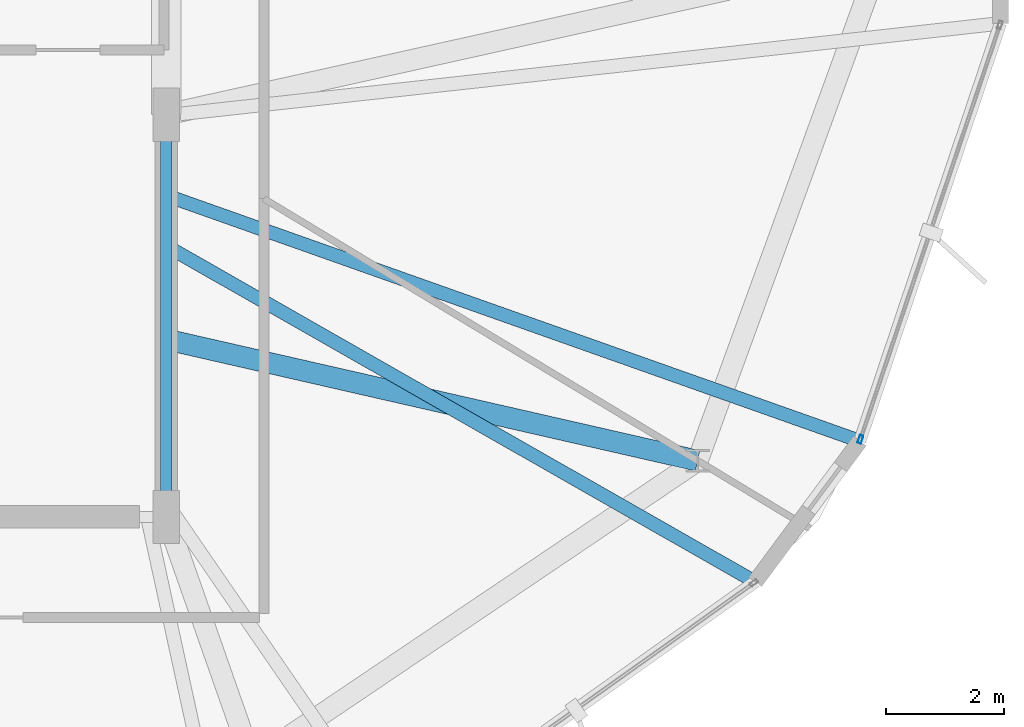
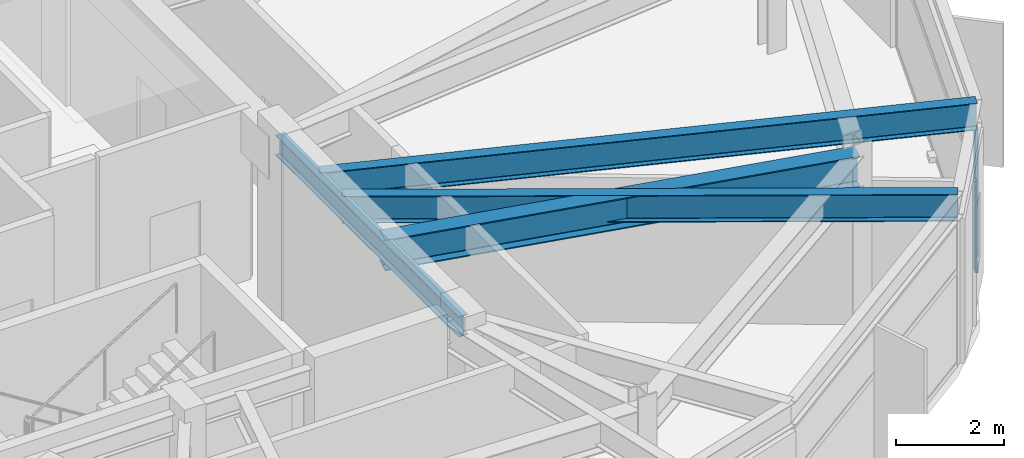
# One storey, part 6 of 19: 4 beams, 1 member, 1 element without a shape of its own.
"""IFC4 building model written with IfcOpenShell, lengths in metres."""

import ifcopenshell
import ifcopenshell.guid

model = None  # the IFC model being written
_history = None  # IfcOwnerHistory: only IFC2X3 demands one
_inside = {}  # id of a spatial element -> (the spatial element, [elements in it])
_under = {}  # id of a project, library or spatial element -> (it, [spatial elements below it])
_declared = {}  # id of a project -> (the project, [libraries it declares])
_typed = {}  # id of a type object -> (the type object, [elements of that type])
_made_of = {}  # id of a material, layer set ... -> (it, [elements and type objects made of it])


def new_model(schema):
    """Start an empty IFC model of exactly this schema.

    Asked for "IFC4X3", IfcOpenShell would pick the latest addendum, in which some entities
    have other attributes; the version numbers below select the first issue.
    IFC2X3 requires an IfcOwnerHistory on every rooted entity: one is made here for all.
    """
    global model, _history
    if schema == "IFC4X3":
        model = ifcopenshell.file(schema_version=(4, 3, 0, 0))
    else:
        model = ifcopenshell.file(schema=schema)
    _inside.clear()
    _under.clear()
    _declared.clear()
    _typed.clear()
    _made_of.clear()
    _history = None
    if model.schema == "IFC2X3":
        org = make("IfcOrganization", Name="unknown")
        user = make(
            "IfcPersonAndOrganization",
            ThePerson=make("IfcPerson", FamilyName="unknown"),
            TheOrganization=org,
        )
        app = make(
            "IfcApplication",
            ApplicationDeveloper=org,
            Version="unknown",
            ApplicationFullName="unknown",
            ApplicationIdentifier="unknown",
        )
        _history = make(
            "IfcOwnerHistory",
            OwningUser=user,
            OwningApplication=app,
            ChangeAction="ADDED",
            CreationDate=0,
        )
    return model


def make(cls, **values):
    """One entity of the class cls with the attributes given. An attribute that is None is left unset."""
    return model.create_entity(
        cls, **{name: value for name, value in values.items() if value is not None}
    )


def rooted(cls, **values):
    """An entity with a GlobalId (a new one), such as an element, a storey or a relation."""
    return make(cls, GlobalId=ifcopenshell.guid.new(), OwnerHistory=_history, **values)


def si_unit(unit_type, name, prefix=None):
    """IfcSIUnit, for example si_unit("LENGTHUNIT", "METRE", prefix="MILLI")."""
    return make("IfcSIUnit", UnitType=unit_type, Prefix=prefix, Name=name)


def assignment(units):
    """IfcUnitAssignment: the units of a project."""
    return None if units is None else make("IfcUnitAssignment", Units=units)


def point(xyz):
    """IfcCartesianPoint."""
    return None if xyz is None else make("IfcCartesianPoint", Coordinates=xyz)


def direction(xyz):
    """IfcDirection."""
    return None if xyz is None else make("IfcDirection", DirectionRatios=xyz)


def frame(location, z_axis=None, x_axis=None):
    """IfcAxis2Placement3D, a coordinate frame: its origin and axes. An axis left out is left unset."""
    return make(
        "IfcAxis2Placement3D",
        Location=point(location),
        Axis=direction(z_axis),
        RefDirection=direction(x_axis),
    )


def frame_2d(location, x_axis=None):
    """IfcAxis2Placement2D, a coordinate frame in the plane: its origin and x axis."""
    return make(
        "IfcAxis2Placement2D", Location=point(location), RefDirection=direction(x_axis)
    )


def origin():
    """The frame at (0, 0, 0) with its axes left unset."""
    return frame((0.0, 0.0, 0.0))


def origin_2d():
    """The frame at (0, 0) in the plane with its x axis left unset."""
    return frame_2d((0.0, 0.0))


def place(relative_to, where):
    """IfcLocalPlacement: puts the frame where relative to a parent placement (None: the world)."""
    return make(
        "IfcLocalPlacement", PlacementRelTo=relative_to, RelativePlacement=where
    )


def context(
    kind, dimensions, precision=None, world=None, true_north=None, identifier=None
):
    """IfcGeometricRepresentationContext, for example the 3D "Model" context."""
    return make(
        "IfcGeometricRepresentationContext",
        ContextIdentifier=identifier,
        ContextType=kind,
        CoordinateSpaceDimension=dimensions,
        Precision=precision,
        WorldCoordinateSystem=world,
        TrueNorth=true_north,
    )


def subcontext(parent, identifier, kind, view, scale=None):
    """IfcGeometricRepresentationSubContext, for example "Body" below "Model"."""
    return make(
        "IfcGeometricRepresentationSubContext",
        ContextIdentifier=identifier,
        ContextType=kind,
        ParentContext=parent,
        TargetScale=scale,
        TargetView=view,
    )


def project(units=None, contexts=None):
    """IfcProject with its units and contexts."""
    return rooted(
        "IfcProject",
        Name="project",
        RepresentationContexts=contexts,
        UnitsInContext=assignment(units),
    )


def spatial(cls, under=None, at=None, **own):
    """A site, building, storey or space (cls), placed at a placement, below another one or the project."""
    s = rooted(cls, ObjectPlacement=at, **own)
    if under is not None:
        _under.setdefault(under.id(), (under, []))[1].append(s)
    return s


def profile(cls, at=None, kind="AREA", **sizes):
    """A parametric profile (cls). Its sizes go by their IFC names, for example OverallWidth=200.0."""
    return make(cls, ProfileType=kind, Position=at, **sizes)


def hollow_rectangle(**sizes):
    """IfcRectangleHollowProfileDef."""
    return profile("IfcRectangleHollowProfileDef", **sizes)


def i_section(**sizes):
    """IfcIShapeProfileDef."""
    return profile("IfcIShapeProfileDef", **sizes)


def extrude(swept, where, along, depth):
    """IfcExtrudedAreaSolid: the profile swept, set in the frame where, extruded along a direction by depth."""
    return make(
        "IfcExtrudedAreaSolid",
        SweptArea=swept,
        Position=where,
        ExtrudedDirection=direction(along),
        Depth=depth,
    )


def shape(context_of_items, identifier, shape_type, items):
    """IfcShapeRepresentation: the items that make up one representation, for example the "Body"."""
    return make(
        "IfcShapeRepresentation",
        ContextOfItems=context_of_items,
        RepresentationIdentifier=identifier,
        RepresentationType=shape_type,
        Items=items,
    )


def material(Name=None, Category=None):
    """IfcMaterial."""
    return make("IfcMaterial", Name=Name, Category=Category)


def layer(
    of_material, thickness, ventilated=None, Name=None, Category=None, Priority=None
):
    """IfcMaterialLayer: one layer of a wall or slab, of a material (None: an air gap)."""
    return make(
        "IfcMaterialLayer",
        Material=of_material,
        LayerThickness=thickness,
        IsVentilated=ventilated,
        Name=Name,
        Category=Category,
        Priority=Priority,
    )


def layer_set(layers, Name=None):
    """IfcMaterialLayerSet."""
    return make("IfcMaterialLayerSet", MaterialLayers=layers, LayerSetName=Name)


def material_profile(
    of_material, cross_section, Name=None, Category=None, Priority=None
):
    """IfcMaterialProfile: a cross section and its material."""
    return make(
        "IfcMaterialProfile",
        Name=Name,
        Material=of_material,
        Profile=cross_section,
        Priority=Priority,
        Category=Category,
    )


def profile_set(profiles, Name=None, composite=None):
    """IfcMaterialProfileSet."""
    return make(
        "IfcMaterialProfileSet",
        Name=Name,
        MaterialProfiles=profiles,
        CompositeProfile=composite,
    )


def made_of(thing, what):
    """Note that an element or type object is made of a material, layer set ...; save() writes the relation."""
    if what is not None:
        _made_of.setdefault(what.id(), (what, []))[1].append(thing)
    return thing


def type_object(cls, material=None, **own):
    """A type object (cls), such as IfcWallType, which elements share."""
    return made_of(rooted(cls, **own), material)


def element(
    cls,
    number,
    at=None,
    inside=None,
    cuts=None,
    type_object=None,
    material=None,
    context=None,
    identifier="Body",
    shape_type=None,
    held_by="IfcProductDefinitionShape",
    body=None,
    shapes=None,
    **own,
):
    """One element of the class cls, such as IfcWall. Its Tag is "e" and its number.

    at: its placement. inside: the storey or other place that contains it. cuts: it is an
    opening in that element (IfcRelVoidsElement). A single representation is given by context,
    identifier, shape_type and body (its items); several are given by shapes. held_by: the class
    of the entity that holds the representations. save() writes the other relations.
    """
    e = rooted(cls, Tag="e%d" % number, ObjectPlacement=at, **own)
    if body is not None:
        shapes = [shape(context, identifier, shape_type, body)]
    if shapes is not None:
        e.Representation = make(held_by, Representations=shapes)
    if inside is not None:
        _inside.setdefault(inside.id(), (inside, []))[1].append(e)
    if cuts is not None:
        rooted(
            "IfcRelVoidsElement", RelatingBuildingElement=cuts, RelatedOpeningElement=e
        )
    if type_object is not None:
        _typed.setdefault(type_object.id(), (type_object, []))[1].append(e)
    return made_of(e, material)


def aggregate(whole, parts):
    """IfcRelAggregates: a whole, such as a stair, and the parts it consists of."""
    return rooted("IfcRelAggregates", RelatingObject=whole, RelatedObjects=parts)


def save(model, path):
    """Write the relations noted so far, then the file.

    IfcRelAggregates (storeys below a building ...), IfcRelContainedInSpatialStructure (elements
    in a storey), IfcRelDefinesByType, IfcRelAssociatesMaterial and IfcRelDeclares: one each for
    every whole, place, type object, material and project.
    """
    for whole, parts in _under.values():
        aggregate(whole, parts)
    for where, things in _inside.values():
        rooted(
            "IfcRelContainedInSpatialStructure",
            RelatedElements=things,
            RelatingStructure=where,
        )
    for kind, things in _typed.values():
        rooted("IfcRelDefinesByType", RelatedObjects=things, RelatingType=kind)
    for what, things in _made_of.values():
        rooted("IfcRelAssociatesMaterial", RelatedObjects=things, RelatingMaterial=what)
    for by, libraries in _declared.values():
        rooted("IfcRelDeclares", RelatingContext=by, RelatedDefinitions=libraries)
    model.write(path)


model = new_model("IFC4")

# Units and contexts
model_context = context("Model", 3, precision=1e-05, world=origin(), true_north=direction((0.0, 1.0)))
body_context = subcontext(model_context, "Body", "Model", "MODEL_VIEW")
ifc_project = project(units=[si_unit("LENGTHUNIT", "METRE"), si_unit("AREAUNIT", "SQUARE_METRE"), si_unit("VOLUMEUNIT", "CUBIC_METRE"), si_unit("PLANEANGLEUNIT", "RADIAN"), si_unit("MASSUNIT", "GRAM", prefix="KILO")], contexts=[model_context])

# Site, building, storey
site_placement = place(None, origin())
site = spatial("IfcSite", under=ifc_project, at=site_placement, CompositionType="ELEMENT")
building_placement = place(site_placement, origin())
building = spatial("IfcBuilding", under=site, at=building_placement, Name="Soratama Intermodal Tower", CompositionType="ELEMENT")
storey_placement = place(building_placement, frame((0.0, 0.0, 297.25)))
storey = spatial("IfcBuildingStorey", under=building, at=storey_placement, Name="L75", CompositionType="ELEMENT", Elevation=297.25)

# Beams
ifc_material_1 = material(Name="Structural steel ASTM A992 Grade 50", Category="steel")
ifc_material_profile_1 = material_profile(ifc_material_1, i_section(OverallWidth=0.19091796875, OverallDepth=0.4599609375, WebThickness=0.010009765625, FlangeThickness=0.01611328125, FilletRadius=0.010986328125, at=origin_2d()), Name="W18X55")
ifc_profile_set_1 = profile_set([ifc_material_profile_1], Name="Structural steel ASTM A992 Grade 50")
beam_type_1 = type_object("IfcBeamType", Name="BM-FLR-W18X55", PredefinedType="BEAM", material=ifc_profile_set_1)
beam_1_placement = place(storey_placement, frame((44.60009765625, 15.0, 3.6650390625), z_axis=(0.0, 1.0, 0.0), x_axis=(-1.0, 0.0, 0.0)))
element("IfcBeam", 1, at=beam_1_placement, inside=storey, type_object=beam_type_1, Name="BM-L75-CRING-03", PredefinedType="BEAM", context=body_context, shape_type="SweptSolid", body=[
    extrude(i_section(OverallWidth=0.19091796875, OverallDepth=0.4599609375, WebThickness=0.010009765625, FlangeThickness=0.01611328125, FilletRadius=0.010986328125, at=origin_2d()), origin(), (0.0, 0.0, 1.0), 6.800048828125),
])
ifc_material_2 = material(Name="Structural steel ASTM A992 Grade 50", Category="steel")
ifc_material_profile_2 = material_profile(ifc_material_2, i_section(OverallWidth=0.35498046875, OverallDepth=0.695068359375, WebThickness=0.015380859375, FlangeThickness=0.02490234375, FilletRadius=0.01611328125, at=origin_2d()), Name="W27X146")
ifc_profile_set_2 = profile_set([ifc_material_profile_2], Name="Structural steel ASTM A992 Grade 50")
beam_type_2 = type_object("IfcBeamType", Name="BM-RING-W27X146", PredefinedType="BEAM", material=ifc_profile_set_2)
beam_2_placement = place(storey_placement, frame((44.60009765625, 18.0, 3.547607421875), z_axis=(0.974938851068, -0.222473002131, 0.0), x_axis=(0.222473002131, 0.974938851068, 0.0)))
element("IfcBeam", 2, at=beam_2_placement, inside=storey, type_object=beam_type_2, Name="BM-L75-RAD-09", PredefinedType="BEAM", context=body_context, shape_type="SweptSolid", body=[
    extrude(i_section(OverallWidth=0.35498046875, OverallDepth=0.695068359375, WebThickness=0.015380859375, FlangeThickness=0.02490234375, FilletRadius=0.01611328125, at=origin_2d()), origin(), (0.0, 0.0, 1.0), 9.21484375),
])
ifc_material_3 = material(Name="Structural steel ASTM A992 Grade 50", Category="steel")
ifc_material_profile_3 = material_profile(ifc_material_3, i_section(OverallWidth=0.22900390625, OverallDepth=0.612060546875, WebThickness=0.011962890625, FlangeThickness=0.01953125, FilletRadius=0.012939453125, at=origin_2d()), Name="W24X84")
ifc_profile_set_3 = profile_set([ifc_material_profile_3], Name="Structural steel ASTM A992 Grade 50")
beam_type_3 = type_object("IfcBeamType", Name="BM-TIE-W24X84", PredefinedType="BEAM", material=ifc_profile_set_3)
beam_3_placement = place(storey_placement, frame((44.635009765625, 19.56103515625, 3.589111328125), z_axis=(0.868600668346, -0.495512743478, 0.0), x_axis=(0.495512743478, 0.868600668346, 0.0)))
element("IfcBeam", 3, at=beam_3_placement, inside=storey, type_object=beam_type_3, Name="BM-L75-TIE1-07", PredefinedType="BEAM", context=body_context, shape_type="SweptSolid", body=[
    extrude(i_section(OverallWidth=0.22900390625, OverallDepth=0.612060546875, WebThickness=0.011962890625, FlangeThickness=0.01953125, FilletRadius=0.012939453125, at=origin_2d()), origin(), (0.0, 0.0, 1.0), 11.4228515625),
])
beam_4_placement = place(storey_placement, frame((44.637939453125, 20.4208984375, 3.589111328125), z_axis=(0.942666721218, -0.333735602998, 0.0), x_axis=(0.333735602998, 0.942666721218, 0.0)))
element("IfcBeam", 4, at=beam_4_placement, inside=storey, type_object=beam_type_3, Name="BM-L75-TIE0-08", PredefinedType="BEAM", context=body_context, shape_type="SweptSolid", body=[
    extrude(i_section(OverallWidth=0.22900390625, OverallDepth=0.612060546875, WebThickness=0.011962890625, FlangeThickness=0.01953125, FilletRadius=0.012939453125, at=origin_2d()), origin(), (0.0, 0.0, 1.0), 12.39892578125),
])

# Curtain wall, member
ifc_material_4 = material(Name="Double-glazed aluminium curtain wall", Category="aluminium")
ifc_layer = layer(ifc_material_4, 0.159912109375)
ifc_layer_set = layer_set([ifc_layer], Name="Double-glazed aluminium curtain wall")
curtain_wall_type = type_object("IfcCurtainWallType", Name="CW-SYS-6", PredefinedType="NOTDEFINED", material=ifc_layer_set)
curtain_wall_placement = place(storey_placement, origin())
curtain_wall = element("IfcCurtainWall", 5, at=curtain_wall_placement, inside=storey, type_object=curtain_wall_type, Name="L75 Faceted Curtain Wall F08", PredefinedType="NOTDEFINED")
ifc_material_5 = material(Name="Anodised aluminium AA 6063-T6", Category="aluminium")
ifc_material_profile_4 = material_profile(ifc_material_5, hollow_rectangle(XDim=0.06494140625, YDim=0.139892578125, WallThickness=0.0048828125, InnerFilletRadius=0.0048828125, OuterFilletRadius=0.010009765625, at=origin_2d()), Name="CWM140X65X5")
ifc_profile_set_4 = profile_set([ifc_material_profile_4], Name="Anodised aluminium AA 6063-T6")
member_type = type_object("IfcMemberType", Name="MT-CWM-6", PredefinedType="MULLION", material=ifc_profile_set_4)
member_placement = place(storey_placement, frame((56.335205078125, 16.31103515625, 0.0), z_axis=(0.0, 0.0, 1.0), x_axis=(-0.947767848125, 0.318960978899, 0.0)))
member = element("IfcMember", 6, at=member_placement, type_object=member_type, Name="CW-6 mullion 1", PredefinedType="MULLION", context=body_context, shape_type="SweptSolid", body=[
    extrude(hollow_rectangle(XDim=0.06494140625, YDim=0.139892578125, WallThickness=0.0048828125, InnerFilletRadius=0.0048828125, OuterFilletRadius=0.010009765625, at=origin_2d()), origin(), (0.0, 0.0, 1.0), 3.27392578125),
])
aggregate(curtain_wall, [member])

save(model, "model.ifc")
